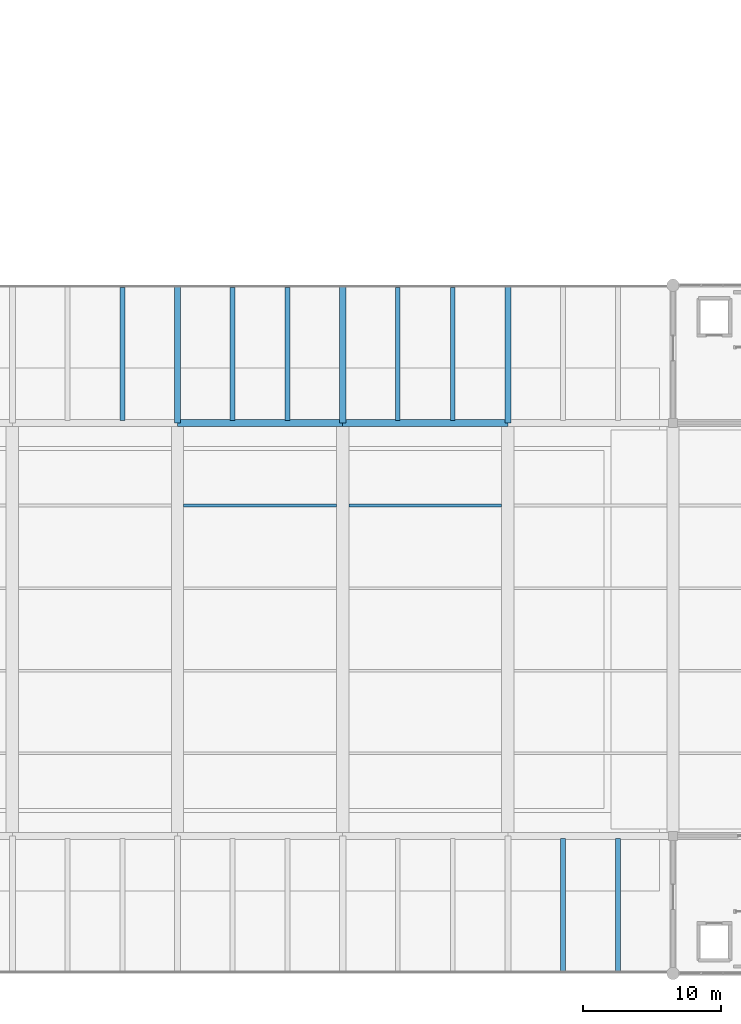
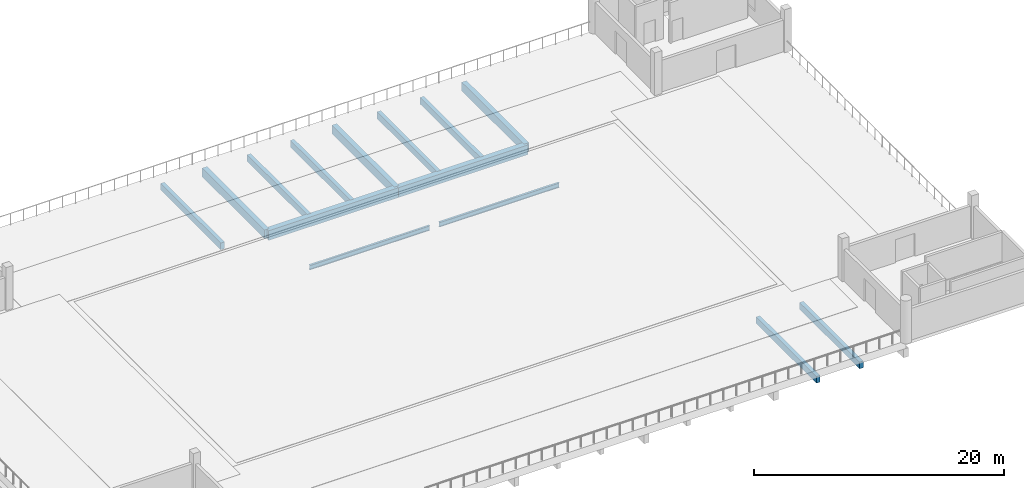
# One storey, part 9 of 111: 14 beams.
"""IFC4 building model written with IfcOpenShell, lengths in metres."""

from ifc_helpers import new_model, si_unit, direction, frame, origin, origin_2d, place, context, subcontext, project, spatial, rectangle, i_section, extrude, material, material_profile, profile_set, type_object, element, save


model = new_model("IFC4")

# Units and contexts
model_context = context("Model", 3, precision=1e-05, world=origin(), true_north=direction((0.0, 1.0)))
body_context = subcontext(model_context, "Body", "Model", "MODEL_VIEW")
ifc_project = project(units=[si_unit("LENGTHUNIT", "METRE"), si_unit("AREAUNIT", "SQUARE_METRE"), si_unit("VOLUMEUNIT", "CUBIC_METRE"), si_unit("PLANEANGLEUNIT", "RADIAN"), si_unit("MASSUNIT", "GRAM", prefix="KILO")], contexts=[model_context])

# Site, building, storey
site_placement = place(None, origin())
site = spatial("IfcSite", under=ifc_project, at=site_placement, CompositionType="ELEMENT")
building_placement = place(site_placement, origin())
building = spatial("IfcBuilding", under=site, at=building_placement, Name="Mersad Railyard Sports Hall", CompositionType="ELEMENT")
storey_placement = place(building_placement, frame((0.0, 0.0, 9.0)))
storey = spatial("IfcBuildingStorey", under=building, at=storey_placement, Name="L02", CompositionType="ELEMENT", Elevation=9.0)

# Beams
ifc_material_1 = material(Name="Concrete C40/50", Category="concrete")
ifc_material_profile_1 = material_profile(ifc_material_1, rectangle(XDim=0.449951171875, YDim=0.85009765625, at=origin_2d()), Name="RC 450x850")
ifc_profile_set_1 = profile_set([ifc_material_profile_1], Name="Concrete C40/50")
beam_type_1 = type_object("IfcBeamType", Name="STR-BM-B02", PredefinedType="BEAM", material=ifc_profile_set_1)
for number, where, z_axis, x_axis, name in (
    (1, (43.0, 43.5, -1.175048828125), (0.0, 1.0, 0.0), (-1.0, 0.0, 0.0), "Beam B02-0449"),
    (2, (55.0, 43.5, -1.175048828125), (0.0, 1.0, 0.0), (-1.0, 0.0, 0.0), "Beam B02-0450"),
    (3, (67.0, 43.5, -1.175048828125), (0.0, 1.0, 0.0), (-1.0, 0.0, 0.0), "Beam B02-0451"),
):
    element("IfcBeam", number, at=place(storey_placement, frame(where, z_axis=z_axis, x_axis=x_axis)), inside=storey, type_object=beam_type_1, Name=name, PredefinedType="BEAM", context=body_context, shape_type="SweptSolid", body=[
        extrude(rectangle(XDim=0.449951171875, YDim=0.85009765625, at=origin_2d()), origin(), (0.0, 0.0, 1.0), 10.0),
    ])
ifc_material_2 = material(Name="Concrete C50/60", Category="concrete")
ifc_material_profile_2 = material_profile(ifc_material_2, rectangle(XDim=0.5, YDim=0.949951171875, at=origin_2d()), Name="RC 500x950")
ifc_profile_set_2 = profile_set([ifc_material_profile_2], Name="Concrete C50/60")
beam_type_2 = type_object("IfcBeamType", Name="STR-BM-B03", PredefinedType="BEAM", material=ifc_profile_set_2)
for number, where, z_axis, x_axis, name in (
    (4, (43.0, 43.5, -1.22509765625), (1.0, 0.0, 0.0), (0.0, 1.0, 0.0), "Beam B03-0442"),
    (5, (55.0, 43.5, -1.22509765625), (1.0, 0.0, 0.0), (0.0, 1.0, 0.0), "Beam B03-0443"),
):
    element("IfcBeam", number, at=place(storey_placement, frame(where, z_axis=z_axis, x_axis=x_axis)), inside=storey, type_object=beam_type_2, Name=name, PredefinedType="BEAM", context=body_context, shape_type="SweptSolid", body=[
        extrude(rectangle(XDim=0.5, YDim=0.949951171875, at=origin_2d()), origin(), (0.0, 0.0, 1.0), 12.0),
    ])
ifc_material_profile_3 = material_profile(ifc_material_1, rectangle(XDim=0.35009765625, YDim=0.64990234375, at=origin_2d()), Name="RC 350x650")
ifc_profile_set_3 = profile_set([ifc_material_profile_3], Name="Concrete C40/50")
beam_type_3 = type_object("IfcBeamType", Name="STR-BM-J01", PredefinedType="JOIST", material=ifc_profile_set_3)
for number, where, z_axis, x_axis, name in (
    (6, (71.0, 3.679931640625, -1.074951171875), (0.0, 1.0, 0.0), (-1.0, 0.0, 0.0), "Beam J01-0463"),
    (7, (75.0, 3.679931640625, -1.074951171875), (0.0, 1.0, 0.0), (-1.0, 0.0, 0.0), "Beam J01-0464"),
    (8, (39.0, 43.679931640625, -1.074951171875), (0.0, 1.0, 0.0), (-1.0, 0.0, 0.0), "Beam J01-0469"),
    (9, (47.0, 43.679931640625, -1.074951171875), (0.0, 1.0, 0.0), (-1.0, 0.0, 0.0), "Beam J01-0470"),
    (10, (51.0, 43.679931640625, -1.074951171875), (0.0, 1.0, 0.0), (-1.0, 0.0, 0.0), "Beam J01-0471"),
    (11, (59.0, 43.679931640625, -1.074951171875), (0.0, 1.0, 0.0), (-1.0, 0.0, 0.0), "Beam J01-0472"),
    (12, (63.0, 43.679931640625, -1.074951171875), (0.0, 1.0, 0.0), (-1.0, 0.0, 0.0), "Beam J01-0473"),
):
    element("IfcBeam", number, at=place(storey_placement, frame(where, z_axis=z_axis, x_axis=x_axis)), inside=storey, type_object=beam_type_3, Name=name, PredefinedType="JOIST", context=body_context, shape_type="SweptSolid", body=[
        extrude(rectangle(XDim=0.35009765625, YDim=0.64990234375, at=origin_2d()), origin(), (0.0, 0.0, 1.0), 9.64013671875),
    ])
ifc_material_3 = material(Name="Steel S355", Category="steel")
ifc_material_profile_4 = material_profile(ifc_material_3, i_section(OverallWidth=0.18994140625, OverallDepth=0.449951171875, WebThickness=0.009521484375, FlangeThickness=0.0146484375, at=origin_2d()), Name="IPE 450")
ifc_profile_set_4 = profile_set([ifc_material_profile_4], Name="Steel S355")
beam_type_4 = type_object("IfcBeamType", Name="STR-BM-SB01", PredefinedType="BEAM", material=ifc_profile_set_4)
for number, where, z_axis, x_axis, name in (
    (13, (43.449951171875, 37.5, -0.985107421875), (1.0, 0.0, 0.0), (0.0, 1.0, 0.0), "Beam SB01-0491"),
    (14, (55.449951171875, 37.5, -0.985107421875), (1.0, 0.0, 0.0), (0.0, 1.0, 0.0), "Beam SB01-0495"),
):
    element("IfcBeam", number, at=place(storey_placement, frame(where, z_axis=z_axis, x_axis=x_axis)), inside=storey, type_object=beam_type_4, Name=name, PredefinedType="BEAM", context=body_context, shape_type="SweptSolid", body=[
        extrude(i_section(OverallWidth=0.18994140625, OverallDepth=0.449951171875, WebThickness=0.009521484375, FlangeThickness=0.0146484375, at=origin_2d()), origin(), (0.0, 0.0, 1.0), 11.10009765625),
    ])

save(model, "model.ifc")
